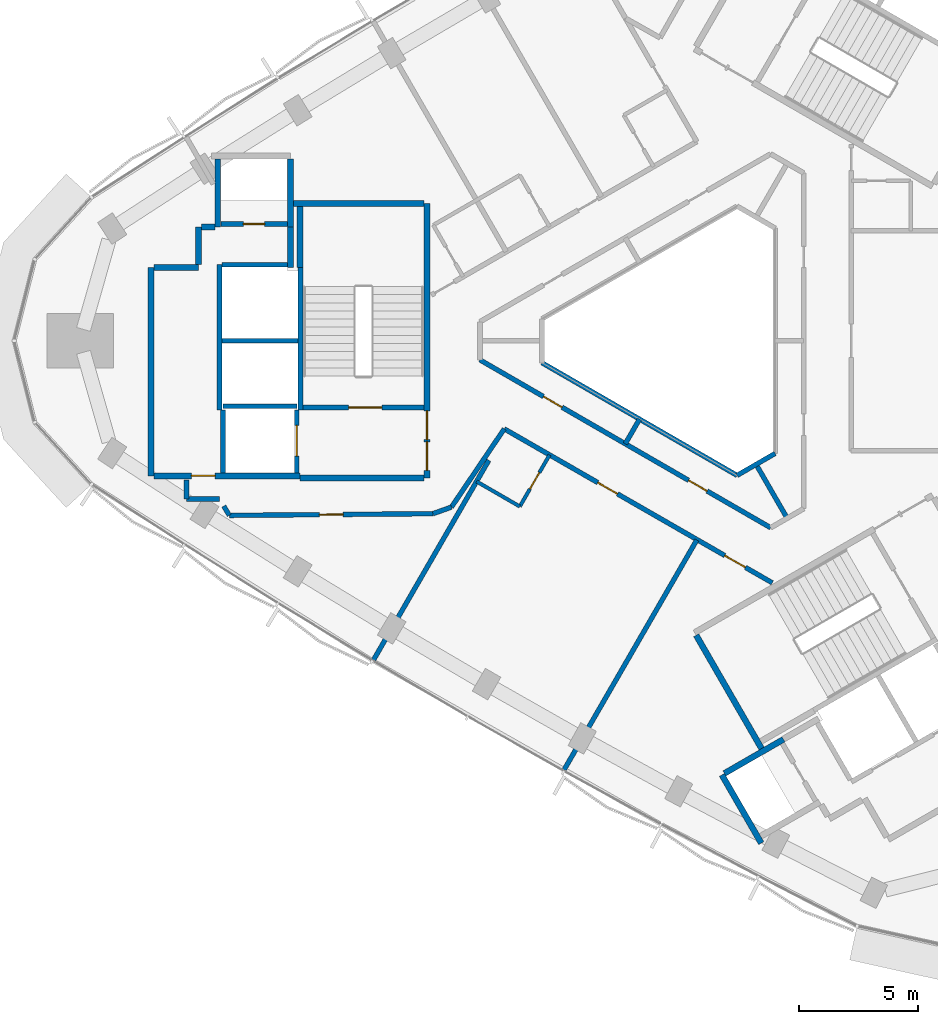
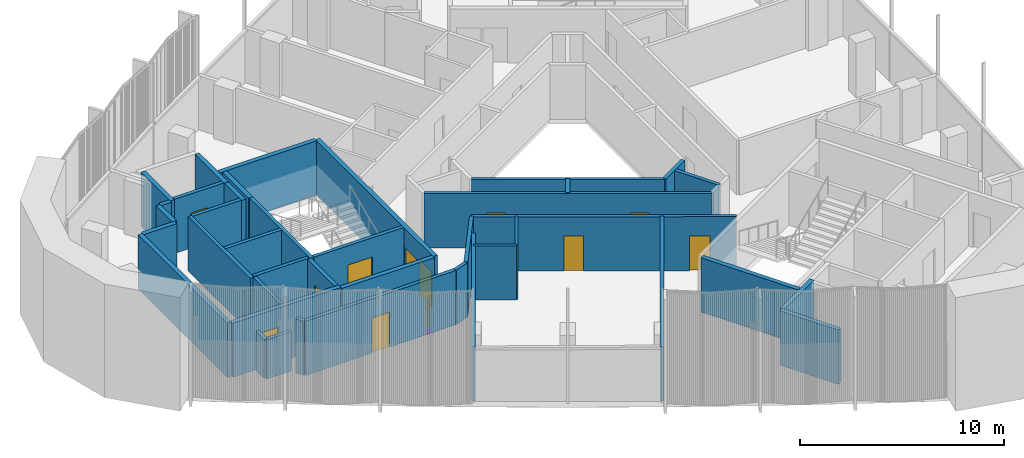
# One storey, part 8 of 14: 40 walls, 12 doors, 12 openings.
"""IFC4 building model written with IfcOpenShell, lengths in metres."""

from ifc_helpers import new_model, si_unit, direction, frame, frame_2d, origin, place, context, subcontext, project, spatial, rectangle, extrude, material, layer, layer_set, type_object, element, fill, save


model = new_model("IFC4")

# Units and contexts
model_context = context("Model", 3, precision=1e-05, world=origin(), true_north=direction((0.0, 1.0)))
body_context = subcontext(model_context, "Body", "Model", "MODEL_VIEW")
ifc_project = project(units=[si_unit("LENGTHUNIT", "METRE"), si_unit("AREAUNIT", "SQUARE_METRE"), si_unit("VOLUMEUNIT", "CUBIC_METRE"), si_unit("PLANEANGLEUNIT", "RADIAN"), si_unit("MASSUNIT", "GRAM", prefix="KILO")], contexts=[model_context])

# Site, building, storey
site_placement = place(None, origin())
site = spatial("IfcSite", under=ifc_project, at=site_placement, CompositionType="ELEMENT")
building_placement = place(site_placement, origin())
building = spatial("IfcBuilding", under=site, at=building_placement, Name="Tamra Quay Hotel Tower", CompositionType="ELEMENT")
storey_placement = place(building_placement, frame((0.0, 0.0, 250.199951171875)))
storey = spatial("IfcBuildingStorey", under=building, at=storey_placement, Name="L63", CompositionType="ELEMENT", Elevation=250.199951171875)

# Walls
ifc_material_1 = material(Name="Concrete M70", Category="concrete")
ifc_layer_1 = layer(ifc_material_1, 0.199951171875)
ifc_layer_set_1 = layer_set([ifc_layer_1], Name="Concrete M70 core wall 200")
wall_type_1 = type_object("IfcWallType", Name="Concrete M70 core wall 200", PredefinedType="SHEAR", material=ifc_layer_set_1)
wall_1_placement = place(storey_placement, frame((-16.162109375, 3.073974609375, 0.0), z_axis=(0.0, 0.0, 1.0), x_axis=(0.0, -1.0, 0.0)))
element("IfcWall", 1, at=wall_1_placement, inside=storey, type_object=wall_type_1, Name="CW2", PredefinedType="SHEAR", context=body_context, shape_type="SweptSolid", body=[
    extrude(rectangle(XDim=5.97412109375, YDim=0.199951171875, at=frame_2d((2.987060546875, 0.0))), origin(), (0.0, 0.0, 1.0), 3.25),
])
wall_2_placement = place(storey_placement, frame((-19.5625, -2.900146484375, 0.0), z_axis=(0.0, 0.0, 1.0), x_axis=(0.0, 1.0, 0.0)))
element("IfcWall", 2, at=wall_2_placement, inside=storey, type_object=wall_type_1, Name="CW2", PredefinedType="SHEAR", context=body_context, shape_type="SweptSolid", body=[
    extrude(rectangle(XDim=6.100341796875, YDim=0.199951171875, at=frame_2d((3.05029296875, 0.0))), origin(), (0.0, 0.0, 1.0), 3.25),
])

# Wall, opening, door
wall_3_placement = place(storey_placement, frame((-10.96337890625, -2.800048828125, 0.0), z_axis=(0.0, 0.0, 1.0), x_axis=(-1.0, 0.0, 0.0)))
wall_3 = element("IfcWall", 3, at=wall_3_placement, inside=storey, type_object=wall_type_1, Name="CW2", PredefinedType="SHEAR", context=body_context, shape_type="SweptSolid", body=[
    extrude(rectangle(XDim=5.097900390625, YDim=0.199951171875, at=frame_2d((2.548828125, 0.0))), origin(), (0.0, 0.0, 1.0), 3.25),
])
opening_1_placement = place(wall_3_placement, frame((1.77392578125, 0.0, 0.0)))
opening_1 = element("IfcOpeningElement", 4, at=opening_1_placement, cuts=wall_3, Name="Opening FD2", PredefinedType="OPENING", context=body_context, shape_type="SweptSolid", body=[
    extrude(rectangle(XDim=1.39990234375, YDim=2.10009765625, at=frame_2d((0.699951171875, 1.050048828125))), frame((0.0, 0.10986328125, 0.0), z_axis=(0.0, -1.0, 0.0), x_axis=(1.0, 0.0, 0.0)), (0.0, 0.0, 1.0), 0.219970703125),
])
ifc_material_2 = material(Name="Core door FD2 1400x2100 RH")
door_type_1 = type_object("IfcDoorType", Name="Core door FD2 1400x2100 RH", OperationType="NOTDEFINED", PredefinedType="DOOR", material=ifc_material_2)
door_1_placement = place(opening_1_placement, origin())
door_1 = element("IfcDoor", 5, at=door_1_placement, inside=storey, type_object=door_type_1, Name="FD2", OperationType="SINGLE_SWING_RIGHT", OverallHeight=2.10009765625, OverallWidth=1.39990234375, PredefinedType="DOOR", context=body_context, shape_type="SweptSolid", body=[
    extrude(rectangle(XDim=1.39990234375, YDim=2.10009765625, at=frame_2d((0.699951171875, 1.050048828125))), frame((0.0, 0.02490234375, 0.0), z_axis=(0.0, -1.0, 0.0), x_axis=(1.0, 0.0, 0.0)), (0.0, 0.0, 1.0), 0.050048828125),
])
fill(opening_1, door_1)

# Wall
wall_4_placement = place(storey_placement, frame((-16.26318359375, 0.0, 0.0), z_axis=(0.0, 0.0, 1.0), x_axis=(-1.0, 0.0, 0.0)))
element("IfcWall", 6, at=wall_4_placement, inside=storey, type_object=wall_type_1, Name="CW2", PredefinedType="SHEAR", context=body_context, shape_type="SweptSolid", body=[
    extrude(rectangle(XDim=3.1982421875, YDim=0.199951171875, at=frame_2d((1.59912109375, 0.0))), origin(), (0.0, 0.0, 1.0), 3.25),
])

# Wall, opening, door
wall_5_placement = place(storey_placement, frame((-19.51123046875, 4.91015625, 0.0), z_axis=(0.0, 0.0, 1.0), x_axis=(1.0, 0.0, 0.0)))
wall_5 = element("IfcWall", 7, at=wall_5_placement, inside=storey, type_object=wall_type_1, Name="CW2", PredefinedType="SHEAR", context=body_context, shape_type="SweptSolid", body=[
    extrude(rectangle(XDim=2.7978515625, YDim=0.199951171875, at=frame_2d((1.39892578125, 0.0))), origin(), (0.0, 0.0, 1.0), 3.25),
])
opening_2_placement = place(wall_5_placement, frame((0.948974609375, 0.0, 0.0)))
opening_2 = element("IfcOpeningElement", 8, at=opening_2_placement, cuts=wall_5, Name="Opening D1", PredefinedType="OPENING", context=body_context, shape_type="SweptSolid", body=[
    extrude(rectangle(XDim=0.89990234375, YDim=2.10009765625, at=frame_2d((0.449951171875, 1.050048828125))), frame((0.0, 0.10986328125, 0.0), z_axis=(0.0, -1.0, 0.0), x_axis=(1.0, 0.0, 0.0)), (0.0, 0.0, 1.0), 0.219970703125),
])
ifc_material_3 = material(Name="Core door D1 900x2100 LH")
door_type_2 = type_object("IfcDoorType", Name="Core door D1 900x2100 LH", OperationType="NOTDEFINED", PredefinedType="DOOR", material=ifc_material_3)
door_2_placement = place(opening_2_placement, origin())
door_2 = element("IfcDoor", 9, at=door_2_placement, inside=storey, type_object=door_type_2, Name="D1", OperationType="SINGLE_SWING_LEFT", OverallHeight=2.10009765625, OverallWidth=0.89990234375, PredefinedType="DOOR", context=body_context, shape_type="SweptSolid", body=[
    extrude(rectangle(XDim=0.89990234375, YDim=2.10009765625, at=frame_2d((0.449951171875, 1.050048828125))), frame((0.0, 0.02490234375, 0.0), z_axis=(0.0, -1.0, 0.0), x_axis=(1.0, 0.0, 0.0)), (0.0, 0.0, 1.0), 0.050048828125),
])
fill(opening_2, door_2)

# Walls
wall_6_placement = place(storey_placement, frame((-19.46240234375, 3.2001953125, 0.0), z_axis=(0.0, 0.0, 1.0), x_axis=(1.0, 0.0, 0.0)))
element("IfcWall", 10, at=wall_6_placement, inside=storey, type_object=wall_type_1, Name="CW2", PredefinedType="SHEAR", context=body_context, shape_type="SweptSolid", body=[
    extrude(rectangle(XDim=2.759033203125, YDim=0.199951171875, at=frame_2d((1.37939453125, 0.0))), origin(), (0.0, 0.0, 1.0), 3.25),
])
wall_7_placement = place(storey_placement, frame((-19.412353515625, -2.75, 0.0), z_axis=(0.0, 0.0, 1.0), x_axis=(1.0, 0.0, 0.0)))
element("IfcWall", 11, at=wall_7_placement, inside=storey, type_object=wall_type_1, Name="CW2", PredefinedType="SHEAR", context=body_context, shape_type="SweptSolid", body=[
    extrude(rectangle(XDim=3.10009765625, YDim=0.199951171875, at=frame_2d((1.550048828125, 0.0))), origin(), (0.0, 0.0, 1.0), 3.25),
])

# Wall, opening, door
wall_8_placement = place(storey_placement, frame((-16.312255859375, -2.898193359375, 0.0), z_axis=(0.0, 0.0, 1.0), x_axis=(0.0, -1.0, 0.0)))
wall_8 = element("IfcWall", 12, at=wall_8_placement, inside=storey, type_object=wall_type_1, Name="CW2", PredefinedType="SHEAR", context=body_context, shape_type="SweptSolid", body=[
    extrude(rectangle(XDim=2.65087890625, YDim=0.199951171875, at=frame_2d((1.325439453125, 0.0))), origin(), (0.0, 0.0, 1.0), 3.25),
])
opening_3_placement = place(wall_8_placement, frame((0.65185546875, 0.0, 0.0)))
opening_3 = element("IfcOpeningElement", 13, at=opening_3_placement, cuts=wall_8, Name="Opening LD", PredefinedType="OPENING", context=body_context, shape_type="SweptSolid", body=[
    extrude(rectangle(XDim=1.300048828125, YDim=2.10009765625, at=frame_2d((0.64990234375, 1.050048828125))), frame((0.0, 0.10986328125, 0.0), z_axis=(0.0, -1.0, 0.0), x_axis=(1.0, 0.0, 0.0)), (0.0, 0.0, 1.0), 0.219970703125),
])
ifc_material_4 = material(Name="Landing door LD 1300 sliding to right")
door_type_3 = type_object("IfcDoorType", Name="Landing door LD 1300 sliding to right", OperationType="NOTDEFINED", PredefinedType="DOOR", material=ifc_material_4)
door_3_placement = place(opening_3_placement, origin())
door_3 = element("IfcDoor", 14, at=door_3_placement, inside=storey, type_object=door_type_3, Name="LD", OperationType="SLIDING_TO_RIGHT", OverallHeight=2.10009765625, OverallWidth=1.300048828125, PredefinedType="DOOR", context=body_context, shape_type="SweptSolid", body=[
    extrude(rectangle(XDim=1.300048828125, YDim=2.10009765625, at=frame_2d((0.64990234375, 1.050048828125))), frame((0.0, 0.02490234375, 0.0), z_axis=(0.0, -1.0, 0.0), x_axis=(1.0, 0.0, 0.0)), (0.0, 0.0, 1.0), 0.050048828125),
])
fill(opening_3, door_3)

# Wall
wall_9_placement = place(storey_placement, frame((-19.412353515625, -5.549072265625, 0.0), z_axis=(0.0, 0.0, 1.0), x_axis=(0.0, 1.0, 0.0)))
element("IfcWall", 15, at=wall_9_placement, inside=storey, type_object=wall_type_1, Name="CW2", PredefinedType="SHEAR", context=body_context, shape_type="SweptSolid", body=[
    extrude(rectangle(XDim=2.65087890625, YDim=0.199951171875, at=frame_2d((1.325439453125, 0.0))), origin(), (0.0, 0.0, 1.0), 3.25),
])

# Wall, openings, doors
ifc_layer_2 = layer(ifc_material_1, 0.25)
ifc_layer_set_2 = layer_set([ifc_layer_2], Name="Concrete M70 core wall 250")
wall_type_2 = type_object("IfcWallType", Name="Concrete M70 core wall 250", PredefinedType="SHEAR", material=ifc_layer_set_2)
wall_10_placement = place(storey_placement, frame((-10.83740234375, 5.77490234375, 0.0), z_axis=(0.0, 0.0, 1.0), x_axis=(0.0, -1.0, 0.0)))
wall_10 = element("IfcWall", 16, at=wall_10_placement, inside=storey, type_object=wall_type_2, Name="CW1", PredefinedType="SHEAR", context=body_context, shape_type="SweptSolid", body=[
    extrude(rectangle(XDim=11.5498046875, YDim=0.25, at=frame_2d((5.77490234375, 0.0))), origin(), (0.0, 0.0, 1.0), 3.25),
])
opening_4_placement = place(wall_10_placement, frame((10.02490234375, 0.0, 0.0)))
opening_4 = element("IfcOpeningElement", 17, at=opening_4_placement, cuts=wall_10, Name="Opening FD1", PredefinedType="OPENING", context=body_context, shape_type="SweptSolid", body=[
    extrude(rectangle(XDim=1.199951171875, YDim=2.10009765625, at=frame_2d((0.60009765625, 1.050048828125))), frame((0.0, 0.135009765625, 0.0), z_axis=(0.0, -1.0, 0.0), x_axis=(1.0, 0.0, 0.0)), (0.0, 0.0, 1.0), 0.27001953125),
])
opening_5_placement = place(wall_10_placement, frame((8.72509765625, 0.0, 0.0)))
opening_5 = element("IfcOpeningElement", 18, at=opening_5_placement, cuts=wall_10, Name="Opening FD1", PredefinedType="OPENING", context=body_context, shape_type="SweptSolid", body=[
    extrude(rectangle(XDim=1.199951171875, YDim=2.10009765625, at=frame_2d((0.60009765625, 1.050048828125))), frame((0.0, 0.135009765625, 0.0), z_axis=(0.0, -1.0, 0.0), x_axis=(1.0, 0.0, 0.0)), (0.0, 0.0, 1.0), 0.27001953125),
])
ifc_material_5 = material(Name="Core door FD1 1200x2100 LH")
door_type_4 = type_object("IfcDoorType", Name="Core door FD1 1200x2100 LH", OperationType="NOTDEFINED", PredefinedType="DOOR", material=ifc_material_5)
door_4_placement = place(opening_4_placement, origin())
door_4 = element("IfcDoor", 19, at=door_4_placement, inside=storey, type_object=door_type_4, Name="FD1", OperationType="SINGLE_SWING_LEFT", OverallHeight=2.10009765625, OverallWidth=1.199951171875, PredefinedType="DOOR", context=body_context, shape_type="SweptSolid", body=[
    extrude(rectangle(XDim=1.199951171875, YDim=2.10009765625, at=frame_2d((0.60009765625, 1.050048828125))), frame((0.0, 0.02490234375, 0.0), z_axis=(0.0, -1.0, 0.0), x_axis=(1.0, 0.0, 0.0)), (0.0, 0.0, 1.0), 0.050048828125),
])
fill(opening_4, door_4)
ifc_material_6 = material(Name="Core door FD1 1200x2100 RH")
door_type_5 = type_object("IfcDoorType", Name="Core door FD1 1200x2100 RH", OperationType="NOTDEFINED", PredefinedType="DOOR", material=ifc_material_6)
door_5_placement = place(opening_5_placement, origin())
door_5 = element("IfcDoor", 20, at=door_5_placement, inside=storey, type_object=door_type_5, Name="FD1", OperationType="SINGLE_SWING_RIGHT", OverallHeight=2.10009765625, OverallWidth=1.199951171875, PredefinedType="DOOR", context=body_context, shape_type="SweptSolid", body=[
    extrude(rectangle(XDim=1.199951171875, YDim=2.10009765625, at=frame_2d((0.60009765625, 1.050048828125))), frame((0.0, 0.02490234375, 0.0), z_axis=(0.0, -1.0, 0.0), x_axis=(1.0, 0.0, 0.0)), (0.0, 0.0, 1.0), 0.050048828125),
])
fill(opening_5, door_5)

# Wall
wall_11_placement = place(storey_placement, frame((-22.437255859375, -5.675048828125, 0.0), z_axis=(0.0, 0.0, 1.0), x_axis=(0.0, 1.0, 0.0)))
element("IfcWall", 21, at=wall_11_placement, inside=storey, type_object=wall_type_2, Name="CW1", PredefinedType="SHEAR", context=body_context, shape_type="SweptSolid", body=[
    extrude(rectangle(XDim=8.75, YDim=0.25, at=frame_2d((4.375, 0.0))), origin(), (0.0, 0.0, 1.0), 3.25),
])

# Wall, opening, door
wall_12_placement = place(storey_placement, frame((-16.187255859375, -5.675048828125, 0.0), z_axis=(0.0, 0.0, 1.0), x_axis=(-1.0, 0.0, 0.0)))
wall_12 = element("IfcWall", 22, at=wall_12_placement, inside=storey, type_object=wall_type_2, Name="CW1", PredefinedType="SHEAR", context=body_context, shape_type="SweptSolid", body=[
    extrude(rectangle(XDim=6.12451171875, YDim=0.25, at=frame_2d((3.062255859375, 0.0))), origin(), (0.0, 0.0, 1.0), 3.25),
])
opening_6_placement = place(wall_12_placement, frame((3.562744140625, 0.0, 0.0)))
opening_6 = element("IfcOpeningElement", 23, at=opening_6_placement, cuts=wall_12, Name="Opening FD3", PredefinedType="OPENING", context=body_context, shape_type="SweptSolid", body=[
    extrude(rectangle(XDim=1.0, YDim=2.10009765625, at=frame_2d((0.5, 1.050048828125))), frame((0.0, 0.135009765625, 0.0), z_axis=(0.0, -1.0, 0.0), x_axis=(1.0, 0.0, 0.0)), (0.0, 0.0, 1.0), 0.27001953125),
])
ifc_material_7 = material(Name="Core door FD3 1000x2100 LH")
door_type_6 = type_object("IfcDoorType", Name="Core door FD3 1000x2100 LH", OperationType="NOTDEFINED", PredefinedType="DOOR", material=ifc_material_7)
door_6_placement = place(opening_6_placement, origin())
door_6 = element("IfcDoor", 24, at=door_6_placement, inside=storey, type_object=door_type_6, Name="FD3", OperationType="SINGLE_SWING_LEFT", OverallHeight=2.10009765625, OverallWidth=1.0, PredefinedType="DOOR", context=body_context, shape_type="SweptSolid", body=[
    extrude(rectangle(XDim=1.0, YDim=2.10009765625, at=frame_2d((0.5, 1.050048828125))), frame((0.0, 0.02490234375, 0.0), z_axis=(0.0, -1.0, 0.0), x_axis=(1.0, 0.0, 0.0)), (0.0, 0.0, 1.0), 0.050048828125),
])
fill(opening_6, door_6)

# Walls
wall_13_placement = place(storey_placement, frame((-10.962646484375, -5.77490234375, 0.0), z_axis=(0.0, 0.0, 1.0), x_axis=(-1.0, 0.0, 0.0)))
element("IfcWall", 25, at=wall_13_placement, inside=storey, type_object=wall_type_2, Name="CW1", PredefinedType="SHEAR", context=body_context, shape_type="SweptSolid", body=[
    extrude(rectangle(XDim=5.224609375, YDim=0.25, at=frame_2d((2.6123046875, 0.0))), origin(), (0.0, 0.0, 1.0), 3.25),
])
wall_14_placement = place(storey_placement, frame((-16.47216796875, 5.77490234375, 0.0), z_axis=(0.0, 0.0, 1.0), x_axis=(1.0, 0.0, 0.0)))
element("IfcWall", 26, at=wall_14_placement, inside=storey, type_object=wall_type_2, Name="CW1", PredefinedType="SHEAR", context=body_context, shape_type="SweptSolid", body=[
    extrude(rectangle(XDim=5.509521484375, YDim=0.25, at=frame_2d((2.7548828125, 0.0))), origin(), (0.0, 0.0, 1.0), 3.25),
])
for number, where, z_axis, x_axis, name in (
    (27, (-16.58740234375, 7.649658203125, 0.0), (0.0, 0.0, 1.0), (0.0, -1.0, 0.0), "CW1"),
    (28, (-19.63720703125, 4.784912109375, 0.0), (0.0, 0.0, 1.0), (0.0, 1.0, 0.0), "CW1"),
):
    element("IfcWall", number, at=place(storey_placement, frame(where, z_axis=z_axis, x_axis=x_axis)), inside=storey, type_object=wall_type_2, Name=name, PredefinedType="SHEAR", context=body_context, shape_type="SweptSolid", body=[
        extrude(rectangle(XDim=2.86474609375, YDim=0.25, at=frame_2d((1.432373046875, 0.0))), origin(), (0.0, 0.0, 1.0), 3.25),
    ])
wall_15_placement = place(storey_placement, frame((-16.187255859375, 3.074951171875, 0.0), z_axis=(0.0, 0.0, 1.0), x_axis=(0.0, 1.0, 0.0)))
element("IfcWall", 29, at=wall_15_placement, inside=storey, type_object=wall_type_2, Name="CW1", PredefinedType="SHEAR", context=body_context, shape_type="SweptSolid", body=[
    extrude(rectangle(XDim=2.57470703125, YDim=0.25, at=frame_2d((1.287353515625, 0.0))), origin(), (0.0, 0.0, 1.0), 3.25),
])
wall_16_placement = place(storey_placement, frame((-22.311767578125, 3.074951171875, 0.0), z_axis=(0.0, 0.0, 1.0), x_axis=(1.0, 0.0, 0.0)))
element("IfcWall", 30, at=wall_16_placement, inside=storey, type_object=wall_type_2, Name="CW1", PredefinedType="SHEAR", context=body_context, shape_type="SweptSolid", body=[
    extrude(rectangle(XDim=1.864501953125, YDim=0.25, at=frame_2d((0.93212890625, 0.0))), origin(), (0.0, 0.0, 1.0), 3.25),
])
wall_17_placement = place(storey_placement, frame((-16.577392578125, 4.784912109375, 0.0), z_axis=(0.0, 0.0, 1.0), x_axis=(0.0, -1.0, 0.0)))
element("IfcWall", 31, at=wall_17_placement, inside=storey, type_object=wall_type_2, Name="CW1", PredefinedType="SHEAR", context=body_context, shape_type="SweptSolid", body=[
    extrude(rectangle(XDim=1.7099609375, YDim=0.25, at=frame_2d((0.85498046875, 0.0))), origin(), (0.0, 0.0, 1.0), 3.25),
])
wall_18_placement = place(storey_placement, frame((-20.447265625, 3.200439453125, 0.0), z_axis=(0.0, 0.0, 1.0), x_axis=(0.0, 1.0, 0.0)))
element("IfcWall", 32, at=wall_18_placement, inside=storey, type_object=wall_type_2, Name="CW1", PredefinedType="SHEAR", context=body_context, shape_type="SweptSolid", body=[
    extrude(rectangle(XDim=1.58447265625, YDim=0.25, at=frame_2d((0.792236328125, 0.0))), origin(), (0.0, 0.0, 1.0), 3.25),
])
wall_19_placement = place(storey_placement, frame((-20.32177734375, 4.784912109375, 0.0), z_axis=(0.0, 0.0, 1.0), x_axis=(1.0, 0.0, 0.0)))
element("IfcWall", 33, at=wall_19_placement, inside=storey, type_object=wall_type_2, Name="CW1", PredefinedType="SHEAR", context=body_context, shape_type="SweptSolid", body=[
    extrude(rectangle(XDim=0.55908203125, YDim=0.25, at=frame_2d((0.279541015625, 0.0))), origin(), (0.0, 0.0, 1.0), 3.25),
])
wall_20_placement = place(storey_placement, frame((3.23486328125, -17.15283203125, 0.0), z_axis=(0.0, 0.0, 1.0), x_axis=(-0.500008851346, 0.866020293397, 0.0)))
element("IfcWall", 34, at=wall_20_placement, inside=storey, type_object=wall_type_2, Name="CW1", PredefinedType="SHEAR", context=body_context, shape_type="SweptSolid", body=[
    extrude(rectangle(XDim=5.509765625, YDim=0.25, at=frame_2d((2.7548828125, 0.0))), origin(), (0.0, 0.0, 1.0), 3.25),
])
wall_21_placement = place(storey_placement, frame((3.216796875, -21.12158203125, 0.0), z_axis=(0.0, 0.0, 1.0), x_axis=(-0.499998874531, 0.866026053573, 0.0)))
element("IfcWall", 35, at=wall_21_placement, inside=storey, type_object=wall_type_2, Name="CW1", PredefinedType="SHEAR", context=body_context, shape_type="SweptSolid", body=[
    extrude(rectangle(XDim=3.31298828125, YDim=0.25, at=frame_2d((1.656494140625, 0.0))), origin(), (0.0, 0.0, 1.0), 3.25),
])
wall_22_placement = place(storey_placement, frame((1.6689453125, -18.189697265625, 0.0), z_axis=(0.0, 0.0, 1.0), x_axis=(0.866042235819, 0.499970844928, 0.0)))
element("IfcWall", 36, at=wall_22_placement, inside=storey, type_object=wall_type_2, Name="CW1", PredefinedType="SHEAR", context=body_context, shape_type="SweptSolid", body=[
    extrude(rectangle(XDim=2.864501953125, YDim=0.25, at=frame_2d((1.43212890625, 0.0))), origin(), (0.0, 0.0, 1.0), 3.25),
])
ifc_material_8 = material(Name="Partition corridor wall")
ifc_layer_3 = layer(ifc_material_8, 0.199951171875)
ifc_layer_set_3 = layer_set([ifc_layer_3], Name="Partition corridor wall")
wall_type_3 = type_object("IfcWallType", Name="Partition corridor wall", PredefinedType="PARTITIONING", material=ifc_layer_set_3)
wall_23_placement = place(storey_placement, frame((-20.949951171875, -6.64990234375, 0.0), z_axis=(0.0, 0.0, 1.0), x_axis=(0.0, 1.0, 0.0)))
element("IfcWall", 37, at=wall_23_placement, inside=storey, type_object=wall_type_3, Name="W-C", PredefinedType="PARTITIONING", context=body_context, shape_type="SweptSolid", body=[
    extrude(rectangle(XDim=0.789794921875, YDim=0.199951171875, at=frame_2d((0.39501953125, 0.0))), origin(), (0.0, 0.0, 1.0), 2.35009765625),
])
wall_24_placement = place(storey_placement, frame((-20.949951171875, -6.64990234375, 0.0), z_axis=(0.0, 0.0, 1.0), x_axis=(1.0, 0.0, 0.0)))
element("IfcWall", 38, at=wall_24_placement, inside=storey, type_object=wall_type_3, Name="W-C", PredefinedType="PARTITIONING", context=body_context, shape_type="SweptSolid", body=[
    extrude(rectangle(XDim=1.386962890625, YDim=0.199951171875, at=frame_2d((0.693359375, 0.0))), origin(), (0.0, 0.0, 1.0), 2.35009765625),
])
wall_25_placement = place(storey_placement, frame((-19.14990234375, -7.340087890625, 0.0), z_axis=(0.0, 0.0, 1.0), x_axis=(-0.513785014961, 0.857918969601, 0.0)))
element("IfcWall", 39, at=wall_25_placement, inside=storey, type_object=wall_type_3, Name="W-C", PredefinedType="PARTITIONING", context=body_context, shape_type="SweptSolid", body=[
    extrude(rectangle(XDim=0.454833984375, YDim=0.199951171875, at=frame_2d((0.2275390625, 0.0))), origin(), (0.0, 0.0, 1.0), 3.25),
])

# Wall, opening, door
wall_26_placement = place(storey_placement, frame((-19.14990234375, -7.341064453125, 0.0), z_axis=(0.0, 0.0, 1.0), x_axis=(0.999964623126, 0.008411450351, 0.0)))
wall_26 = element("IfcWall", 40, at=wall_26_placement, inside=storey, type_object=wall_type_3, Name="W-C", PredefinedType="PARTITIONING", context=body_context, shape_type="SweptSolid", body=[
    extrude(rectangle(XDim=8.562255859375, YDim=0.199951171875, at=frame_2d((4.28125, 0.0))), origin(), (0.0, 0.0, 1.0), 3.25),
])
opening_7_placement = place(wall_26_placement, frame((3.78125, 0.0, 0.0)))
opening_7 = element("IfcOpeningElement", 41, at=opening_7_placement, cuts=wall_26, Name="Opening L63-D009", PredefinedType="OPENING", context=body_context, shape_type="SweptSolid", body=[
    extrude(rectangle(XDim=1.0, YDim=2.10009765625, at=frame_2d((0.5, 1.050048828125))), frame((0.0, 0.10986328125, 0.0), z_axis=(0.0, -1.0, 0.0), x_axis=(1.0, 0.0, 0.0)), (0.0, 0.0, 1.0), 0.219970703125),
])
ifc_material_9 = material(Name="Door guest room 1000x2100")
door_type_7 = type_object("IfcDoorType", Name="Door guest room 1000x2100", OperationType="NOTDEFINED", PredefinedType="DOOR", material=ifc_material_9)
door_7_placement = place(opening_7_placement, origin())
door_7 = element("IfcDoor", 42, at=door_7_placement, inside=storey, type_object=door_type_7, Name="L63-D009", OperationType="SINGLE_SWING_LEFT", OverallHeight=2.10009765625, OverallWidth=1.0, PredefinedType="DOOR", context=body_context, shape_type="SweptSolid", body=[
    extrude(rectangle(XDim=1.0, YDim=2.10009765625, at=frame_2d((0.5, 1.050048828125))), frame((0.0, 0.02490234375, 0.0), z_axis=(0.0, -1.0, 0.0), x_axis=(1.0, 0.0, 0.0)), (0.0, 0.0, 1.0), 0.050048828125),
])
fill(opening_7, door_7)

# Walls
wall_27_placement = place(storey_placement, frame((-10.587890625, -7.26904296875, 0.0), z_axis=(0.0, 0.0, 1.0), x_axis=(0.941634876095, 0.336635945974, 0.0)))
element("IfcWall", 43, at=wall_27_placement, inside=storey, type_object=wall_type_3, Name="W-C", PredefinedType="PARTITIONING", context=body_context, shape_type="SweptSolid", body=[
    extrude(rectangle(XDim=0.825927734375, YDim=0.199951171875, at=frame_2d((0.4130859375, 0.0))), origin(), (0.0, 0.0, 1.0), 3.25),
])
wall_28_placement = place(storey_placement, frame((-9.81005859375, -6.990966796875, 0.0), z_axis=(0.0, 0.0, 1.0), x_axis=(0.559616535009, 0.828751671941, 0.0)))
element("IfcWall", 44, at=wall_28_placement, inside=storey, type_object=wall_type_3, Name="W-C", PredefinedType="PARTITIONING", context=body_context, shape_type="SweptSolid", body=[
    extrude(rectangle(XDim=3.96875, YDim=0.199951171875, at=frame_2d((1.984375, 0.0))), origin(), (0.0, 0.0, 1.0), 3.25),
])

# Wall, openings, doors
wall_29_placement = place(storey_placement, frame((-8.612060546875, -0.801025390625, 0.0), z_axis=(0.0, 0.0, 1.0), x_axis=(0.865998070783, -0.50004733916, 0.0)))
wall_29 = element("IfcWall", 45, at=wall_29_placement, inside=storey, type_object=wall_type_3, Name="W-C", PredefinedType="PARTITIONING", context=body_context, shape_type="SweptSolid", body=[
    extrude(rectangle(XDim=14.115478515625, YDim=0.199951171875, at=frame_2d((7.0576171875, 0.0))), origin(), (0.0, 0.0, 1.0), 3.25),
])
opening_8_placement = place(wall_29_placement, frame((3.084716796875, 0.0, 0.0)))
opening_8 = element("IfcOpeningElement", 46, at=opening_8_placement, cuts=wall_29, Name="Opening L63-D022", PredefinedType="OPENING", context=body_context, shape_type="SweptSolid", body=[
    extrude(rectangle(XDim=0.89990234375, YDim=2.10009765625, at=frame_2d((0.449951171875, 1.050048828125))), frame((0.0, 0.10986328125, 0.0), z_axis=(0.0, -1.0, 0.0), x_axis=(1.0, 0.0, 0.0)), (0.0, 0.0, 1.0), 0.219970703125),
])
opening_9_placement = place(wall_29_placement, frame((10.130615234375, 0.0, 0.0)))
opening_9 = element("IfcOpeningElement", 47, at=opening_9_placement, cuts=wall_29, Name="Opening L63-D023", PredefinedType="OPENING", context=body_context, shape_type="SweptSolid", body=[
    extrude(rectangle(XDim=0.89990234375, YDim=2.10009765625, at=frame_2d((0.449951171875, 1.050048828125))), frame((0.0, 0.10986328125, 0.0), z_axis=(0.0, -1.0, 0.0), x_axis=(1.0, 0.0, 0.0)), (0.0, 0.0, 1.0), 0.219970703125),
])
ifc_material_10 = material(Name="Door service room 900x2100")
door_type_8 = type_object("IfcDoorType", Name="Door service room 900x2100", OperationType="NOTDEFINED", PredefinedType="DOOR", material=ifc_material_10)
door_8_placement = place(opening_8_placement, origin())
door_8 = element("IfcDoor", 48, at=door_8_placement, inside=storey, type_object=door_type_8, Name="L63-D022", OperationType="SINGLE_SWING_LEFT", OverallHeight=2.10009765625, OverallWidth=0.89990234375, PredefinedType="DOOR", context=body_context, shape_type="SweptSolid", body=[
    extrude(rectangle(XDim=0.89990234375, YDim=2.10009765625, at=frame_2d((0.449951171875, 1.050048828125))), frame((0.0, 0.02490234375, 0.0), z_axis=(0.0, -1.0, 0.0), x_axis=(1.0, 0.0, 0.0)), (0.0, 0.0, 1.0), 0.050048828125),
])
fill(opening_8, door_8)
door_9_placement = place(opening_9_placement, origin())
door_9 = element("IfcDoor", 49, at=door_9_placement, inside=storey, type_object=door_type_8, Name="L63-D023", OperationType="SINGLE_SWING_LEFT", OverallHeight=2.10009765625, OverallWidth=0.89990234375, PredefinedType="DOOR", context=body_context, shape_type="SweptSolid", body=[
    extrude(rectangle(XDim=0.89990234375, YDim=2.10009765625, at=frame_2d((0.449951171875, 1.050048828125))), frame((0.0, 0.02490234375, 0.0), z_axis=(0.0, -1.0, 0.0), x_axis=(1.0, 0.0, 0.0)), (0.0, 0.0, 1.0), 0.050048828125),
])
fill(opening_9, door_9)

wall_30_placement = place(storey_placement, frame((-7.589111328125, -3.701904296875, 0.0), z_axis=(0.0, 0.0, 1.0), x_axis=(0.867107959402, -0.498120253293, 0.0)))
wall_30 = element("IfcWall", 50, at=wall_30_placement, inside=storey, type_object=wall_type_3, Name="W-C", PredefinedType="PARTITIONING", context=body_context, shape_type="SweptSolid", body=[
    extrude(rectangle(XDim=12.99609375, YDim=0.199951171875, at=frame_2d((6.498046875, 0.0))), origin(), (0.0, 0.0, 1.0), 3.25),
])
opening_10_placement = place(wall_30_placement, frame((4.535888671875, 0.0, 0.0)))
opening_10 = element("IfcOpeningElement", 51, at=opening_10_placement, cuts=wall_30, Name="Opening L63-D010", PredefinedType="OPENING", context=body_context, shape_type="SweptSolid", body=[
    extrude(rectangle(XDim=0.949951171875, YDim=2.10009765625, at=frame_2d((0.47509765625, 1.050048828125))), frame((0.0, 0.10986328125, 0.0), z_axis=(0.0, -1.0, 0.0), x_axis=(1.0, 0.0, 0.0)), (0.0, 0.0, 1.0), 0.219970703125),
])
opening_11_placement = place(wall_30_placement, frame((10.691162109375, 0.0, 0.0)))
opening_11 = element("IfcOpeningElement", 52, at=opening_11_placement, cuts=wall_30, Name="Opening L63-D012", PredefinedType="OPENING", context=body_context, shape_type="SweptSolid", body=[
    extrude(rectangle(XDim=1.0, YDim=2.10009765625, at=frame_2d((0.5, 1.050048828125))), frame((0.0, 0.10986328125, 0.0), z_axis=(0.0, -1.0, 0.0), x_axis=(1.0, 0.0, 0.0)), (0.0, 0.0, 1.0), 0.219970703125),
])
door_10_placement = place(opening_11_placement, frame((1.0, 0.0, 0.0), z_axis=(0.0, 0.0, 1.0), x_axis=(-1.0, 0.0, 0.0)))
door_10 = element("IfcDoor", 53, at=door_10_placement, inside=storey, type_object=door_type_7, Name="L63-D012", OperationType="SINGLE_SWING_LEFT", OverallHeight=2.10009765625, OverallWidth=1.0, PredefinedType="DOOR", context=body_context, shape_type="SweptSolid", body=[
    extrude(rectangle(XDim=1.0, YDim=2.10009765625, at=frame_2d((0.5, 1.050048828125))), frame((0.0, 0.02490234375, 0.0), z_axis=(0.0, -1.0, 0.0), x_axis=(1.0, 0.0, 0.0)), (0.0, 0.0, 1.0), 0.050048828125),
])
fill(opening_11, door_10)
ifc_material_11 = material(Name="Door guest room 950x2100")
door_type_9 = type_object("IfcDoorType", Name="Door guest room 950x2100", OperationType="NOTDEFINED", PredefinedType="DOOR", material=ifc_material_11)
door_11_placement = place(opening_10_placement, frame((0.949951171875, 0.0, 0.0), z_axis=(0.0, 0.0, 1.0), x_axis=(-1.0, 0.0, 0.0)))
door_11 = element("IfcDoor", 54, at=door_11_placement, inside=storey, type_object=door_type_9, Name="L63-D010", OperationType="SINGLE_SWING_LEFT", OverallHeight=2.10009765625, OverallWidth=0.949951171875, PredefinedType="DOOR", context=body_context, shape_type="SweptSolid", body=[
    extrude(rectangle(XDim=0.949951171875, YDim=2.10009765625, at=frame_2d((0.47509765625, 1.050048828125))), frame((0.0, 0.02490234375, 0.0), z_axis=(0.0, -1.0, 0.0), x_axis=(1.0, 0.0, 0.0)), (0.0, 0.0, 1.0), 0.050048828125),
])
fill(opening_10, door_11)

# Wall
ifc_material_12 = material(Name="Partition en-suite wall")
ifc_layer_4 = layer(ifc_material_12, 0.14990234375)
ifc_layer_set_4 = layer_set([ifc_layer_4], Name="Partition en-suite wall")
wall_type_4 = type_object("IfcWallType", Name="Partition en-suite wall", PredefinedType="PARTITIONING", material=ifc_layer_set_4)
wall_31_placement = place(storey_placement, frame((-8.7548828125, -5.9150390625, 0.0), z_axis=(0.0, 0.0, 1.0), x_axis=(0.866038466041, -0.499977374825, 0.0)))
element("IfcWall", 55, at=wall_31_placement, inside=storey, type_object=wall_type_4, Name="W-E", PredefinedType="PARTITIONING", context=body_context, shape_type="SweptSolid", body=[
    extrude(rectangle(XDim=2.10009765625, YDim=0.14990234375, at=frame_2d((1.050048828125, 0.0))), origin(), (0.0, 0.0, 1.0), 3.25),
])

# Wall, opening, door
wall_32_placement = place(storey_placement, frame((-6.93603515625, -6.965087890625, 0.0), z_axis=(0.0, 0.0, 1.0), x_axis=(0.500004234368, 0.866022959057, 0.0)))
wall_32 = element("IfcWall", 56, at=wall_32_placement, inside=storey, type_object=wall_type_4, Name="W-E", PredefinedType="PARTITIONING", context=body_context, shape_type="SweptSolid", body=[
    extrude(rectangle(XDim=2.5, YDim=0.14990234375, at=frame_2d((1.25, 0.0))), origin(), (0.0, 0.0, 1.0), 3.25),
])
opening_12_placement = place(wall_32_placement, frame((0.849609375, 0.0, 0.0)))
opening_12 = element("IfcOpeningElement", 57, at=opening_12_placement, cuts=wall_32, Name="Opening L63-D011", PredefinedType="OPENING", context=body_context, shape_type="SweptSolid", body=[
    extrude(rectangle(XDim=0.800048828125, YDim=2.10009765625, at=frame_2d((0.39990234375, 1.050048828125))), frame((0.0, 0.0849609375, 0.0), z_axis=(0.0, -1.0, 0.0), x_axis=(1.0, 0.0, 0.0)), (0.0, 0.0, 1.0), 0.169921875),
])
ifc_material_13 = material(Name="Door en-suite 800x2100")
door_type_10 = type_object("IfcDoorType", Name="Door en-suite 800x2100", OperationType="NOTDEFINED", PredefinedType="DOOR", material=ifc_material_13)
door_12_placement = place(opening_12_placement, frame((0.800048828125, 0.0, 0.0), z_axis=(0.0, 0.0, 1.0), x_axis=(-1.0, 0.0, 0.0)))
door_12 = element("IfcDoor", 58, at=door_12_placement, inside=storey, type_object=door_type_10, Name="L63-D011", OperationType="SINGLE_SWING_LEFT", OverallHeight=2.10009765625, OverallWidth=0.800048828125, PredefinedType="DOOR", context=body_context, shape_type="SweptSolid", body=[
    extrude(rectangle(XDim=0.800048828125, YDim=2.10009765625, at=frame_2d((0.39990234375, 1.050048828125))), frame((0.0, 0.02490234375, 0.0), z_axis=(0.0, -1.0, 0.0), x_axis=(1.0, 0.0, 0.0)), (0.0, 0.0, 1.0), 0.050048828125),
])
fill(opening_12, door_12)

# Walls
ifc_material_14 = material(Name="Partition party wall")
ifc_layer_5 = layer(ifc_material_14, 0.199951171875)
ifc_layer_set_5 = layer_set([ifc_layer_5], Name="Partition party wall")
wall_type_5 = type_object("IfcWallType", Name="Partition party wall", PredefinedType="PARTITIONING", material=ifc_layer_set_5)
wall_33_placement = place(storey_placement, frame((-13.107421875, -13.452880859375, 0.0), z_axis=(0.0, 0.0, 1.0), x_axis=(0.500058218288, 0.865991788831, 0.0)))
element("IfcWall", 59, at=wall_33_placement, inside=storey, type_object=wall_type_5, Name="W-P", PredefinedType="PARTITIONING", context=body_context, shape_type="SweptSolid", body=[
    extrude(rectangle(XDim=9.734619140625, YDim=0.199951171875, at=frame_2d((4.8671875, 0.0))), origin(), (0.0, 0.0, 1.0), 3.25),
])
wall_34_placement = place(storey_placement, frame((-6.0, -0.924072265625, 0.0), z_axis=(0.0, 0.0, 1.0), x_axis=(0.866012967051, -0.500021540435, 0.0)))
element("IfcWall", 60, at=wall_34_placement, inside=storey, type_object=wall_type_5, Name="W-P", PredefinedType="PARTITIONING", context=body_context, shape_type="SweptSolid", body=[
    extrude(rectangle(XDim=9.46826171875, YDim=0.199951171875, at=frame_2d((4.734130859375, 0.0))), origin(), (0.0, 0.0, 1.0), 3.25),
])
wall_35_placement = place(storey_placement, frame((-5.0966796875, -18.078125, 0.0), z_axis=(0.0, 0.0, 1.0), x_axis=(0.49996389635, 0.866046247233, 0.0)))
element("IfcWall", 61, at=wall_35_placement, inside=storey, type_object=wall_type_5, Name="W-P", PredefinedType="PARTITIONING", context=body_context, shape_type="SweptSolid", body=[
    extrude(rectangle(XDim=11.203857421875, YDim=0.199951171875, at=frame_2d((5.60205078125, 0.0))), origin(), (0.0, 0.0, 1.0), 3.25),
])
wall_36_placement = place(storey_placement, frame((-2.5009765625, -4.329345703125, 0.0), z_axis=(0.0, 0.0, 1.0), x_axis=(0.500209787201, 0.865904249203, 0.0)))
element("IfcWall", 62, at=wall_36_placement, inside=storey, type_object=wall_type_5, Name="W-P", PredefinedType="PARTITIONING", context=body_context, shape_type="SweptSolid", body=[
    extrude(rectangle(XDim=1.19970703125, YDim=0.199951171875, at=frame_2d((0.599853515625, 0.0))), origin(), (0.0, 0.0, 1.0), 3.25),
])
wall_37_placement = place(storey_placement, frame((2.2001953125, -5.658447265625, 0.0), z_axis=(0.0, 0.0, 1.0), x_axis=(0.865818011038, 0.500359042851, 0.0)))
element("IfcWall", 63, at=wall_37_placement, inside=storey, type_object=wall_type_5, Name="W-P", PredefinedType="PARTITIONING", context=body_context, shape_type="SweptSolid", body=[
    extrude(rectangle(XDim=1.847900390625, YDim=0.199951171875, at=frame_2d((0.923828125, 0.0))), origin(), (0.0, 0.0, 1.0), 3.25),
])
wall_38_placement = place(storey_placement, frame((3.0, -5.196044921875, 0.0), z_axis=(0.0, 0.0, 1.0), x_axis=(0.500076354988, -0.865981315724, 0.0)))
element("IfcWall", 64, at=wall_38_placement, inside=storey, type_object=wall_type_5, Name="W-P", PredefinedType="PARTITIONING", context=body_context, shape_type="SweptSolid", body=[
    extrude(rectangle(XDim=2.607421875, YDim=0.199951171875, at=frame_2d((1.3037109375, 0.0))), origin(), (0.0, 0.0, 1.0), 3.25),
])

save(model, "model.ifc")
